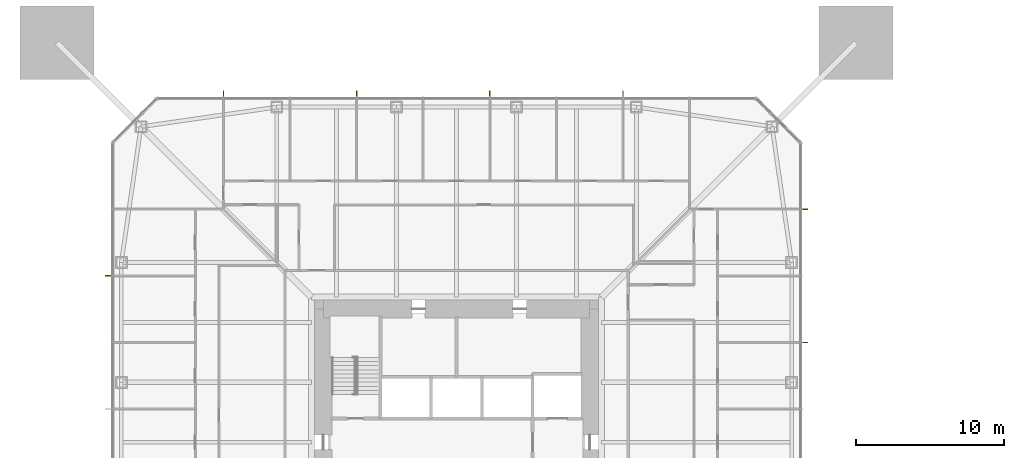
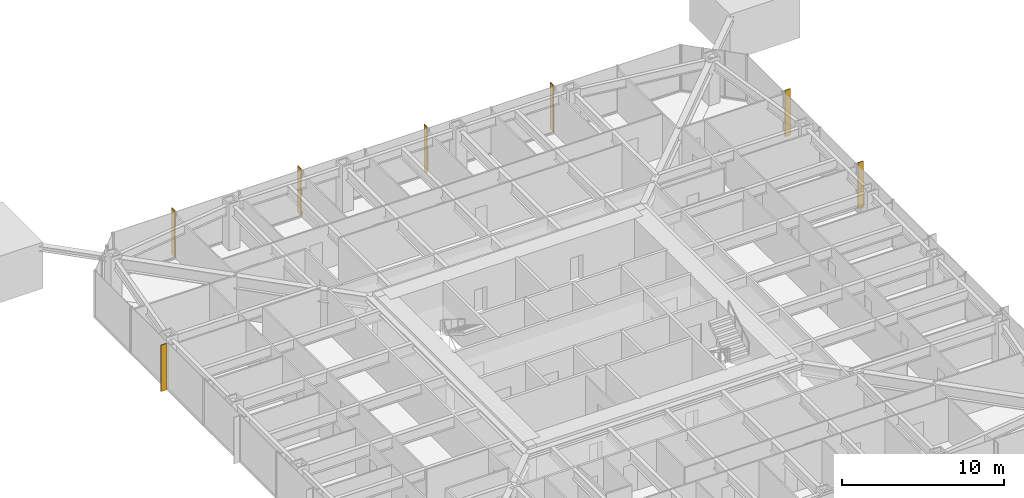
# One storey, part 25 of 26: 7 shading devices.
"""IFC4 building model written with IfcOpenShell, lengths in metres."""

from ifc_helpers import new_model, si_unit, direction, frame, origin, origin_2d, place, context, subcontext, project, spatial, rectangle, extrude, material, layer, layer_set, type_object, element, save


model = new_model("IFC4")

# Units and contexts
model_context = context("Model", 3, precision=1e-05, world=origin(), true_north=direction((0.0, 1.0)))
body_context = subcontext(model_context, "Body", "Model", "MODEL_VIEW")
ifc_project = project(units=[si_unit("LENGTHUNIT", "METRE"), si_unit("AREAUNIT", "SQUARE_METRE"), si_unit("VOLUMEUNIT", "CUBIC_METRE"), si_unit("PLANEANGLEUNIT", "RADIAN"), si_unit("MASSUNIT", "GRAM", prefix="KILO")], contexts=[model_context])

# Site, building, storey
site_placement = place(None, origin())
site = spatial("IfcSite", under=ifc_project, at=site_placement, CompositionType="ELEMENT")
building_placement = place(site_placement, origin())
building = spatial("IfcBuilding", under=site, at=building_placement, Name="Iwan Alto Co-Living Towers", CompositionType="ELEMENT")
storey_placement = place(building_placement, frame((0.0, 0.0, 18.5)))
storey = spatial("IfcBuildingStorey", under=building, at=storey_placement, Name="L04", CompositionType="ELEMENT", Elevation=18.5)

# Shading devices
ifc_material = material(Name="Aluminium 6063-T6 bronze anodised", Category="aluminium")
ifc_layer = layer(ifc_material, 0.050048828125)
ifc_layer_set = layer_set([ifc_layer], Name="BRONZE FIN 50X400")
shading_device_type = type_object("IfcShadingDeviceType", Name="BRONZE FIN 50X400", PredefinedType="USERDEFINED", material=ifc_layer_set)
for number, where, z_axis, x_axis, name in (
    (1, (23.550048828125, 6.75, 0.0), (0.0, 0.0, 1.0), (0.0, 1.0, 0.0), "Bronze fin L04"),
    (2, (23.550048828125, 15.75, 0.0), (0.0, 0.0, 1.0), (0.0, 1.0, 0.0), "Bronze fin L04"),
    (3, (11.25, 23.550048828125, 0.0), (0.0, 0.0, 1.0), (-1.0, 0.0, 0.0), "Bronze fin L04"),
    (4, (2.25, 23.550048828125, 0.0), (0.0, 0.0, 1.0), (-1.0, 0.0, 0.0), "Bronze fin L04"),
    (5, (-6.75, 23.550048828125, 0.0), (0.0, 0.0, 1.0), (-1.0, 0.0, 0.0), "Bronze fin L04"),
    (6, (-15.75, 23.550048828125, 0.0), (0.0, 0.0, 1.0), (-1.0, 0.0, 0.0), "Bronze fin L04"),
    (7, (-23.550048828125, 11.25, 0.0), (0.0, 0.0, 1.0), (0.0, -1.0, 0.0), "Bronze fin L04"),
):
    element("IfcShadingDevice", number, at=place(storey_placement, frame(where, z_axis=z_axis, x_axis=x_axis)), inside=storey, type_object=shading_device_type, Name=name, ObjectType="LOUVER", PredefinedType="USERDEFINED", context=body_context, shape_type="SweptSolid", body=[
        extrude(rectangle(XDim=0.050048828125, YDim=0.39990234375, at=origin_2d()), origin(), (0.0, 0.0, 1.0), 3.5),
    ])

save(model, "model.ifc")
